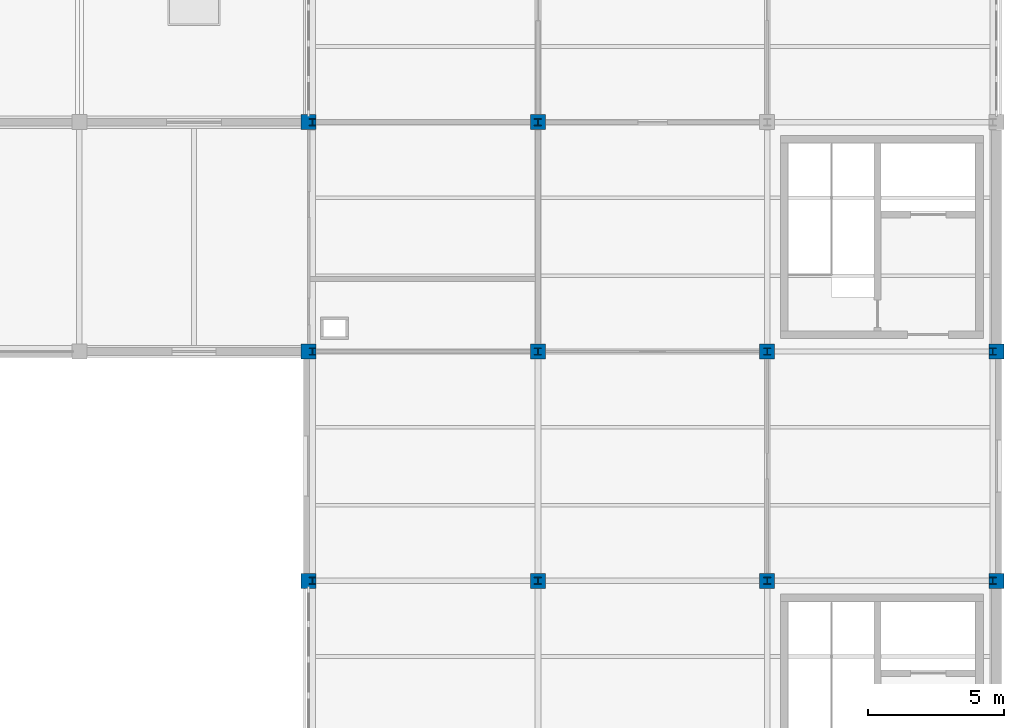
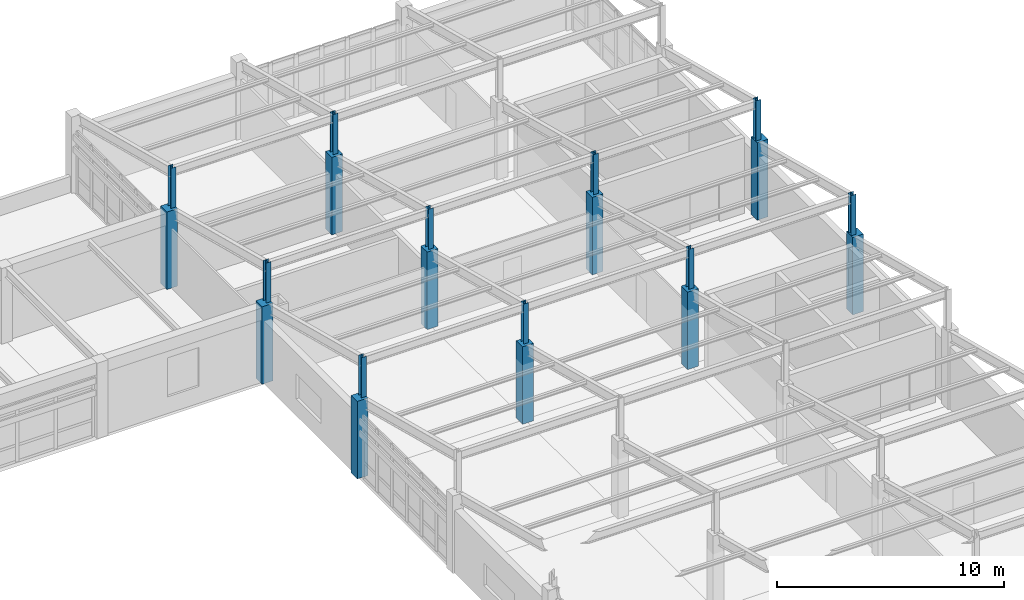
# One storey, part 7 of 74: 20 columns.
"""IFC4 building model written with IfcOpenShell, lengths in metres."""

from ifc_helpers import new_model, si_unit, direction, frame, origin, origin_2d, place, context, subcontext, project, spatial, rectangle, i_section, extrude, material, material_profile, profile_set, type_object, element, save


model = new_model("IFC4")

# Units and contexts
model_context = context("Model", 3, precision=1e-05, world=origin(), true_north=direction((0.0, 1.0)))
body_context = subcontext(model_context, "Body", "Model", "MODEL_VIEW")
ifc_project = project(units=[si_unit("LENGTHUNIT", "METRE"), si_unit("AREAUNIT", "SQUARE_METRE"), si_unit("VOLUMEUNIT", "CUBIC_METRE"), si_unit("PLANEANGLEUNIT", "RADIAN"), si_unit("MASSUNIT", "GRAM", prefix="KILO")], contexts=[model_context])

# Site, building, storey
site_placement = place(None, origin())
site = spatial("IfcSite", under=ifc_project, at=site_placement, CompositionType="ELEMENT")
building_placement = place(site_placement, origin())
building = spatial("IfcBuilding", under=site, at=building_placement, Name="Porcellanite Civic Hall", CompositionType="ELEMENT")
storey_placement = place(building_placement, frame((0.0, 0.0, 14.760009765625)))
storey = spatial("IfcBuildingStorey", under=building, at=storey_placement, Name="L03", CompositionType="ELEMENT", Elevation=14.760009765625)

# Columns
ifc_material_1 = material(Name="Concrete N50 (50 MPa)", Category="concrete")
ifc_material_profile_1 = material_profile(ifc_material_1, rectangle(XDim=0.550048828125, YDim=0.550048828125, at=origin_2d()), Name="RC-550x550")
ifc_profile_set_1 = profile_set([ifc_material_profile_1], Name="Concrete N50 (50 MPa)")
column_type_1 = type_object("IfcColumnType", Name="COL-550", PredefinedType="COLUMN", material=ifc_profile_set_1)
for number, where, z_axis, x_axis, name in (
    (1, (142.800048828125, 42.0, 0.0), (0.0, 0.0, 1.0), (1.0, 0.0, 0.0), "Column L03 17-5"),
    (2, (142.800048828125, 50.39990234375, 0.0), (0.0, 0.0, 1.0), (1.0, 0.0, 0.0), "Column L03 17-6"),
    (3, (142.800048828125, 58.800048828125, 0.0), (0.0, 0.0, 1.0), (1.0, 0.0, 0.0), "Column L03 17-7"),
    (4, (151.199951171875, 42.0, 0.0), (0.0, 0.0, 1.0), (1.0, 0.0, 0.0), "Column L03 18-5"),
    (5, (151.199951171875, 50.39990234375, 0.0), (0.0, 0.0, 1.0), (1.0, 0.0, 0.0), "Column L03 18-6"),
    (6, (151.199951171875, 58.800048828125, 0.0), (0.0, 0.0, 1.0), (1.0, 0.0, 0.0), "Column L03 18-7"),
    (7, (159.60009765625, 42.0, 0.0), (0.0, 0.0, 1.0), (1.0, 0.0, 0.0), "Column L03 19-5"),
    (8, (159.60009765625, 50.39990234375, 0.0), (0.0, 0.0, 1.0), (1.0, 0.0, 0.0), "Column L03 19-6"),
    (9, (168.0, 42.0, 0.0), (0.0, 0.0, 1.0), (1.0, 0.0, 0.0), "Column L03 20-5"),
    (10, (168.0, 50.39990234375, 0.0), (0.0, 0.0, 1.0), (1.0, 0.0, 0.0), "Column L03 20-6"),
):
    element("IfcColumn", number, at=place(storey_placement, frame(where, z_axis=z_axis, x_axis=x_axis)), inside=storey, type_object=column_type_1, Name=name, PredefinedType="COLUMN", context=body_context, shape_type="SweptSolid", body=[
        extrude(rectangle(XDim=0.550048828125, YDim=0.550048828125, at=origin_2d()), origin(), (0.0, 0.0, 1.0), 4.169921875),
    ])
ifc_material_2 = material(Name="Steel Grade 350", Category="steel")
ifc_material_profile_2 = material_profile(ifc_material_2, i_section(OverallWidth=0.25390625, OverallDepth=0.25390625, WebThickness=0.008544921875, FlangeThickness=0.01416015625, FilletRadius=0.0126953125, at=origin_2d()), Name="250UC72.9")
ifc_profile_set_2 = profile_set([ifc_material_profile_2], Name="Steel Grade 350")
column_type_2 = type_object("IfcColumnType", Name="SCOL-250UC73", PredefinedType="COLUMN", material=ifc_profile_set_2)
for number, where, z_axis, x_axis, name in (
    (11, (142.93994140625, 42.0, 4.169921875), (0.0, 0.0, 1.0), (1.0, 0.0, 0.0), "Library sawtooth post 17-5"),
    (12, (151.199951171875, 42.0, 4.169921875), (0.0, 0.0, 1.0), (1.0, 0.0, 0.0), "Library sawtooth post 18-5"),
    (13, (159.60009765625, 42.0, 4.169921875), (0.0, 0.0, 1.0), (1.0, 0.0, 0.0), "Library sawtooth post 19-5"),
    (14, (167.860107421875, 42.0, 4.169921875), (0.0, 0.0, 1.0), (1.0, 0.0, 0.0), "Library sawtooth post 20-5"),
    (15, (142.93994140625, 50.39990234375, 4.169921875), (0.0, 0.0, 1.0), (1.0, 0.0, 0.0), "Library sawtooth post 17-6"),
    (16, (151.199951171875, 50.39990234375, 4.169921875), (0.0, 0.0, 1.0), (1.0, 0.0, 0.0), "Library sawtooth post 18-6"),
    (17, (159.60009765625, 50.39990234375, 4.169921875), (0.0, 0.0, 1.0), (1.0, 0.0, 0.0), "Library sawtooth post 19-6"),
    (18, (167.860107421875, 50.39990234375, 4.169921875), (0.0, 0.0, 1.0), (1.0, 0.0, 0.0), "Library sawtooth post 20-6"),
    (19, (142.93994140625, 58.800048828125, 4.169921875), (0.0, 0.0, 1.0), (1.0, 0.0, 0.0), "Library sawtooth post 17-7"),
    (20, (151.199951171875, 58.800048828125, 4.169921875), (0.0, 0.0, 1.0), (1.0, 0.0, 0.0), "Library sawtooth post 18-7"),
):
    element("IfcColumn", number, at=place(storey_placement, frame(where, z_axis=z_axis, x_axis=x_axis)), inside=storey, type_object=column_type_2, Name=name, PredefinedType="COLUMN", context=body_context, shape_type="SweptSolid", body=[
        extrude(i_section(OverallWidth=0.25390625, OverallDepth=0.25390625, WebThickness=0.008544921875, FlangeThickness=0.01416015625, FilletRadius=0.0126953125, at=origin_2d()), origin(), (0.0, 0.0, 1.0), 2.157470703125),
    ])

save(model, "model.ifc")
